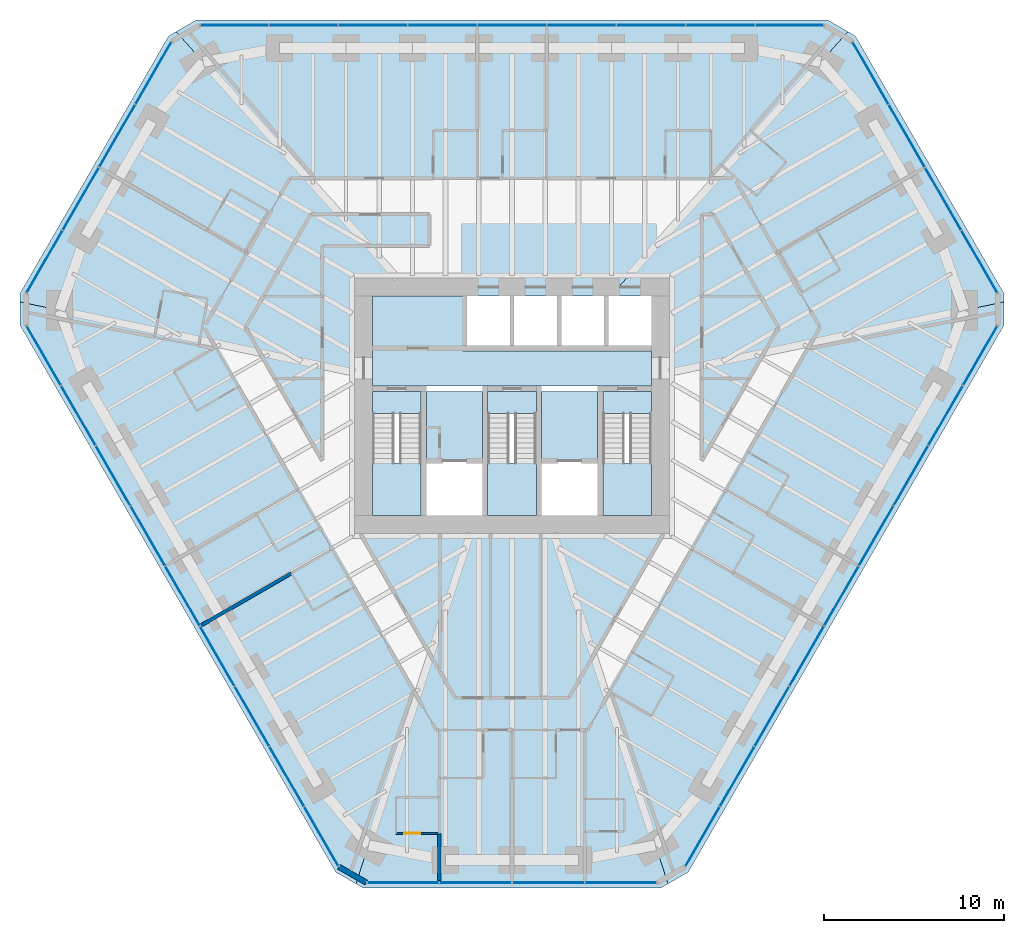
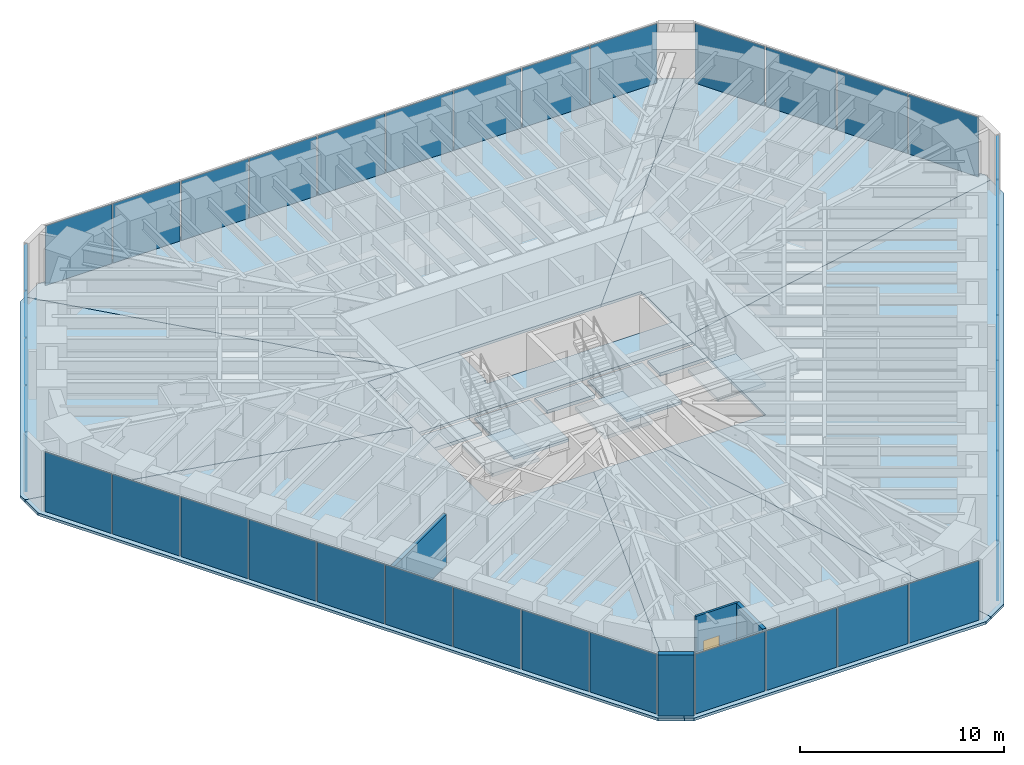
# One storey, part 10 of 16: 39 plates, 15 slabs, 4 walls, 1 door, 1 opening, 9 elements without a shape of their own.
"""IFC4 building model written with IfcOpenShell, lengths in metres."""

from ifc_helpers import new_model, si_unit, direction, frame, frame_2d, origin, origin_2d, place, context, subcontext, project, spatial, polyline, rectangle, outline, extrude, material, layer, layer_set, type_object, element, fill, aggregate, save


model = new_model("IFC4")

# Units and contexts
model_context = context("Model", 3, precision=1e-05, world=origin(), true_north=direction((0.0, 1.0)))
body_context = subcontext(model_context, "Body", "Model", "MODEL_VIEW")
ifc_project = project(units=[si_unit("LENGTHUNIT", "METRE"), si_unit("AREAUNIT", "SQUARE_METRE"), si_unit("VOLUMEUNIT", "CUBIC_METRE"), si_unit("PLANEANGLEUNIT", "RADIAN"), si_unit("MASSUNIT", "GRAM", prefix="KILO")], contexts=[model_context])

# Site, building, storey
site_placement = place(None, origin())
site = spatial("IfcSite", under=ifc_project, at=site_placement, CompositionType="ELEMENT")
building_placement = place(site_placement, origin())
building = spatial("IfcBuilding", under=site, at=building_placement, Name="Sandreach Pilgrim Tower", CompositionType="ELEMENT")
storey_placement = place(building_placement, frame((0.0, 0.0, 187.0)))
storey = spatial("IfcBuildingStorey", under=building, at=storey_placement, Name="L46", CompositionType="ELEMENT", Elevation=187.0)

# Curtain wall, plates
ifc_material_1 = material(Name="Aluminium framed curtain wall", Category="aluminium")
curtain_wall_type = type_object("IfcCurtainWallType", Name="Upper hotel tower curtain wall", PredefinedType="NOTDEFINED", material=ifc_material_1)
curtain_wall_1_placement = place(storey_placement, origin())
curtain_wall_1 = element("IfcCurtainWall", 1, at=curtain_wall_1_placement, inside=storey, type_object=curtain_wall_type, Name="CW-3 L46 N", PredefinedType="NOTDEFINED")
ifc_material_2 = material(Name="Insulating glass unit 12.76 laminated + 20 argon + 12.76 laminated", Category="glass")
ifc_layer_1 = layer(ifc_material_2, 0.0458984375)
ifc_layer_set_1 = layer_set([ifc_layer_1], Name="CW-3 panel")
plate_type = type_object("IfcPlateType", Name="CW-3 panel", PredefinedType="CURTAIN_PANEL", material=ifc_layer_set_1)
plate_1_placement = place(storey_placement, frame((-15.44140625, 21.16015625, 0.0), z_axis=(0.0, 0.0, 1.0), x_axis=(1.0, 0.0, 0.0)))
plate_1 = element("IfcPlate", 2, at=plate_1_placement, type_object=plate_type, Name="CW-3 panel 1", PredefinedType="CURTAIN_PANEL", context=body_context, shape_type="SweptSolid", body=[
    extrude(rectangle(XDim=3.766845703125, YDim=0.0458984375, at=origin_2d()), origin(), (0.0, 0.0, 1.0), 3.570068359375),
])
plate_2_placement = place(storey_placement, frame((-11.59326171875, 21.16015625, 0.0), z_axis=(0.0, 0.0, 1.0), x_axis=(1.0, 0.0, 0.0)))
plate_2 = element("IfcPlate", 3, at=plate_2_placement, type_object=plate_type, Name="CW-3 panel 2", PredefinedType="CURTAIN_PANEL", context=body_context, shape_type="SweptSolid", body=[
    extrude(rectangle(XDim=3.79931640625, YDim=0.0458984375, at=origin_2d()), origin(), (0.0, 0.0, 1.0), 3.570068359375),
])
plate_3_placement = place(storey_placement, frame((-7.728759765625, 21.16015625, 0.0), z_axis=(0.0, 0.0, 1.0), x_axis=(1.0, 0.0, 0.0)))
plate_3 = element("IfcPlate", 4, at=plate_3_placement, type_object=plate_type, Name="CW-3 panel 3", PredefinedType="CURTAIN_PANEL", context=body_context, shape_type="SweptSolid", body=[
    extrude(rectangle(XDim=3.79931640625, YDim=0.0458984375, at=origin_2d()), origin(), (0.0, 0.0, 1.0), 3.570068359375),
])
plate_4_placement = place(storey_placement, frame((-3.864501953125, 21.16015625, 0.0), z_axis=(0.0, 0.0, 1.0), x_axis=(1.0, 0.0, 0.0)))
plate_4 = element("IfcPlate", 5, at=plate_4_placement, type_object=plate_type, Name="CW-3 panel 4", PredefinedType="CURTAIN_PANEL", context=body_context, shape_type="SweptSolid", body=[
    extrude(rectangle(XDim=3.79931640625, YDim=0.0458984375, at=origin_2d()), origin(), (0.0, 0.0, 1.0), 3.570068359375),
])
plate_5_placement = place(storey_placement, frame((0.0, 21.16015625, 0.0), z_axis=(0.0, 0.0, 1.0), x_axis=(1.0, 0.0, 0.0)))
plate_5 = element("IfcPlate", 6, at=plate_5_placement, type_object=plate_type, Name="CW-3 panel 5", PredefinedType="CURTAIN_PANEL", context=body_context, shape_type="SweptSolid", body=[
    extrude(rectangle(XDim=3.79931640625, YDim=0.0458984375, at=origin_2d()), origin(), (0.0, 0.0, 1.0), 3.570068359375),
])
plate_6_placement = place(storey_placement, frame((3.864501953125, 21.16015625, 0.0), z_axis=(0.0, 0.0, 1.0), x_axis=(1.0, 0.0, 0.0)))
plate_6 = element("IfcPlate", 7, at=plate_6_placement, type_object=plate_type, Name="CW-3 panel 6", PredefinedType="CURTAIN_PANEL", context=body_context, shape_type="SweptSolid", body=[
    extrude(rectangle(XDim=3.79931640625, YDim=0.0458984375, at=origin_2d()), origin(), (0.0, 0.0, 1.0), 3.570068359375),
])
plate_7_placement = place(storey_placement, frame((7.728759765625, 21.16015625, 0.0), z_axis=(0.0, 0.0, 1.0), x_axis=(1.0, 0.0, 0.0)))
plate_7 = element("IfcPlate", 8, at=plate_7_placement, type_object=plate_type, Name="CW-3 panel 7", PredefinedType="CURTAIN_PANEL", context=body_context, shape_type="SweptSolid", body=[
    extrude(rectangle(XDim=3.79931640625, YDim=0.0458984375, at=origin_2d()), origin(), (0.0, 0.0, 1.0), 3.570068359375),
])
plate_8_placement = place(storey_placement, frame((11.59326171875, 21.16015625, 0.0), z_axis=(0.0, 0.0, 1.0), x_axis=(1.0, 0.0, 0.0)))
plate_8 = element("IfcPlate", 9, at=plate_8_placement, type_object=plate_type, Name="CW-3 panel 8", PredefinedType="CURTAIN_PANEL", context=body_context, shape_type="SweptSolid", body=[
    extrude(rectangle(XDim=3.79931640625, YDim=0.0458984375, at=origin_2d()), origin(), (0.0, 0.0, 1.0), 3.570068359375),
])
plate_9_placement = place(storey_placement, frame((15.44140625, 21.16015625, 0.0), z_axis=(0.0, 0.0, 1.0), x_axis=(1.0, 0.0, 0.0)))
plate_9 = element("IfcPlate", 10, at=plate_9_placement, type_object=plate_type, Name="CW-3 panel 9", PredefinedType="CURTAIN_PANEL", context=body_context, shape_type="SweptSolid", body=[
    extrude(rectangle(XDim=3.766845703125, YDim=0.0458984375, at=origin_2d()), origin(), (0.0, 0.0, 1.0), 3.570068359375),
])
aggregate(curtain_wall_1, [plate_1, plate_2, plate_3, plate_4, plate_5, plate_6, plate_7, plate_8, plate_9])

curtain_wall_2_placement = place(storey_placement, origin())
curtain_wall_2 = element("IfcCurtainWall", 11, at=curtain_wall_2_placement, inside=storey, type_object=curtain_wall_type, Name="CW-3 L46 NE", PredefinedType="NOTDEFINED")
plate_10_placement = place(storey_placement, frame((19.943115234375, 18.5078125, 0.0), z_axis=(0.0, 0.0, 1.0), x_axis=(0.5, -0.866025403784, 0.0)))
plate_10 = element("IfcPlate", 12, at=plate_10_placement, type_object=plate_type, Name="CW-3 panel 1", PredefinedType="CURTAIN_PANEL", context=body_context, shape_type="SweptSolid", body=[
    extrude(rectangle(XDim=3.951171875, YDim=0.0458984375, at=origin_2d()), origin(), (0.0, 0.0, 1.0), 3.570068359375),
])
plate_11_placement = place(storey_placement, frame((21.959228515625, 15.015625, 0.0), z_axis=(0.0, 0.0, 1.0), x_axis=(0.5, -0.866025403784, 0.0)))
plate_11 = element("IfcPlate", 13, at=plate_11_placement, type_object=plate_type, Name="CW-3 panel 2", PredefinedType="CURTAIN_PANEL", context=body_context, shape_type="SweptSolid", body=[
    extrude(rectangle(XDim=3.983642578125, YDim=0.0458984375, at=origin_2d()), origin(), (0.0, 0.0, 1.0), 3.570068359375),
])
plate_12_placement = place(storey_placement, frame((23.983642578125, 11.509521484375, 0.0), z_axis=(0.0, 0.0, 1.0), x_axis=(0.5, -0.866025403784, 0.0)))
plate_12 = element("IfcPlate", 14, at=plate_12_placement, type_object=plate_type, Name="CW-3 panel 3", PredefinedType="CURTAIN_PANEL", context=body_context, shape_type="SweptSolid", body=[
    extrude(rectangle(XDim=3.983642578125, YDim=0.0458984375, at=origin_2d()), origin(), (0.0, 0.0, 1.0), 3.570068359375),
])
plate_13_placement = place(storey_placement, frame((25.999755859375, 8.017333984375, 0.0), z_axis=(0.0, 0.0, 1.0), x_axis=(0.5, -0.866025403784, 0.0)))
plate_13 = element("IfcPlate", 15, at=plate_13_placement, type_object=plate_type, Name="CW-3 panel 4", PredefinedType="CURTAIN_PANEL", context=body_context, shape_type="SweptSolid", body=[
    extrude(rectangle(XDim=3.951171875, YDim=0.0458984375, at=origin_2d()), origin(), (0.0, 0.0, 1.0), 3.570068359375),
])
aggregate(curtain_wall_2, [plate_10, plate_11, plate_12, plate_13])

curtain_wall_3_placement = place(storey_placement, origin())
curtain_wall_3 = element("IfcCurtainWall", 16, at=curtain_wall_3_placement, inside=storey, type_object=curtain_wall_type, Name="CW-3 L46 SE", PredefinedType="NOTDEFINED")
plate_14_placement = place(storey_placement, frame((26.0458984375, 2.792724609375, 0.0), z_axis=(0.0, 0.0, 1.0), x_axis=(-0.5, -0.866025403784, 0.0)))
plate_14 = element("IfcPlate", 17, at=plate_14_placement, type_object=plate_type, Name="CW-3 panel 1", PredefinedType="CURTAIN_PANEL", context=body_context, shape_type="SweptSolid", body=[
    extrude(rectangle(XDim=3.766845703125, YDim=0.0458984375, at=origin_2d()), origin(), (0.0, 0.0, 1.0), 3.570068359375),
])
plate_15_placement = place(storey_placement, frame((24.121826171875, -0.5400390625, 0.0), z_axis=(0.0, 0.0, 1.0), x_axis=(-0.5, -0.866025403784, 0.0)))
plate_15 = element("IfcPlate", 18, at=plate_15_placement, type_object=plate_type, Name="CW-3 panel 2", PredefinedType="CURTAIN_PANEL", context=body_context, shape_type="SweptSolid", body=[
    extrude(rectangle(XDim=3.79931640625, YDim=0.0458984375, at=origin_2d()), origin(), (0.0, 0.0, 1.0), 3.570068359375),
])
plate_16_placement = place(storey_placement, frame((22.189697265625, -3.88671875, 0.0), z_axis=(0.0, 0.0, 1.0), x_axis=(-0.5, -0.866025403784, 0.0)))
plate_16 = element("IfcPlate", 19, at=plate_16_placement, type_object=plate_type, Name="CW-3 panel 3", PredefinedType="CURTAIN_PANEL", context=body_context, shape_type="SweptSolid", body=[
    extrude(rectangle(XDim=3.79931640625, YDim=0.0458984375, at=origin_2d()), origin(), (0.0, 0.0, 1.0), 3.570068359375),
])
plate_17_placement = place(storey_placement, frame((20.25732421875, -7.2333984375, 0.0), z_axis=(0.0, 0.0, 1.0), x_axis=(-0.5, -0.866025403784, 0.0)))
plate_17 = element("IfcPlate", 20, at=plate_17_placement, type_object=plate_type, Name="CW-3 panel 4", PredefinedType="CURTAIN_PANEL", context=body_context, shape_type="SweptSolid", body=[
    extrude(rectangle(XDim=3.79931640625, YDim=0.0458984375, at=origin_2d()), origin(), (0.0, 0.0, 1.0), 3.570068359375),
])
plate_18_placement = place(storey_placement, frame((18.3251953125, -10.580078125, 0.0), z_axis=(0.0, 0.0, 1.0), x_axis=(-0.5, -0.866025403784, 0.0)))
plate_18 = element("IfcPlate", 21, at=plate_18_placement, type_object=plate_type, Name="CW-3 panel 5", PredefinedType="CURTAIN_PANEL", context=body_context, shape_type="SweptSolid", body=[
    extrude(rectangle(XDim=3.79931640625, YDim=0.0458984375, at=origin_2d()), origin(), (0.0, 0.0, 1.0), 3.570068359375),
])
plate_19_placement = place(storey_placement, frame((16.39306640625, -13.9267578125, 0.0), z_axis=(0.0, 0.0, 1.0), x_axis=(-0.5, -0.866025403784, 0.0)))
plate_19 = element("IfcPlate", 22, at=plate_19_placement, type_object=plate_type, Name="CW-3 panel 6", PredefinedType="CURTAIN_PANEL", context=body_context, shape_type="SweptSolid", body=[
    extrude(rectangle(XDim=3.79931640625, YDim=0.0458984375, at=origin_2d()), origin(), (0.0, 0.0, 1.0), 3.570068359375),
])
plate_20_placement = place(storey_placement, frame((14.460693359375, -17.2734375, 0.0), z_axis=(0.0, 0.0, 1.0), x_axis=(-0.5, -0.866025403784, 0.0)))
plate_20 = element("IfcPlate", 23, at=plate_20_placement, type_object=plate_type, Name="CW-3 panel 7", PredefinedType="CURTAIN_PANEL", context=body_context, shape_type="SweptSolid", body=[
    extrude(rectangle(XDim=3.79931640625, YDim=0.0458984375, at=origin_2d()), origin(), (0.0, 0.0, 1.0), 3.570068359375),
])
plate_21_placement = place(storey_placement, frame((12.528564453125, -20.6201171875, 0.0), z_axis=(0.0, 0.0, 1.0), x_axis=(-0.5, -0.866025403784, 0.0)))
plate_21 = element("IfcPlate", 24, at=plate_21_placement, type_object=plate_type, Name="CW-3 panel 8", PredefinedType="CURTAIN_PANEL", context=body_context, shape_type="SweptSolid", body=[
    extrude(rectangle(XDim=3.79931640625, YDim=0.0458984375, at=origin_2d()), origin(), (0.0, 0.0, 1.0), 3.570068359375),
])
plate_22_placement = place(storey_placement, frame((10.6044921875, -23.95263671875, 0.0), z_axis=(0.0, 0.0, 1.0), x_axis=(-0.5, -0.866025403784, 0.0)))
plate_22 = element("IfcPlate", 25, at=plate_22_placement, type_object=plate_type, Name="CW-3 panel 9", PredefinedType="CURTAIN_PANEL", context=body_context, shape_type="SweptSolid", body=[
    extrude(rectangle(XDim=3.766845703125, YDim=0.0458984375, at=origin_2d()), origin(), (0.0, 0.0, 1.0), 3.570068359375),
])
aggregate(curtain_wall_3, [plate_14, plate_15, plate_16, plate_17, plate_18, plate_19, plate_20, plate_21, plate_22])

curtain_wall_4_placement = place(storey_placement, origin())
curtain_wall_4 = element("IfcCurtainWall", 26, at=curtain_wall_4_placement, inside=storey, type_object=curtain_wall_type, Name="CW-3 L46 S", PredefinedType="NOTDEFINED")
plate_23_placement = place(storey_placement, frame((6.056884765625, -26.525146484375, 0.0), z_axis=(0.0, 0.0, 1.0), x_axis=(-1.0, 0.0, 0.0)))
plate_23 = element("IfcPlate", 27, at=plate_23_placement, type_object=plate_type, Name="CW-3 panel 1", PredefinedType="CURTAIN_PANEL", context=body_context, shape_type="SweptSolid", body=[
    extrude(rectangle(XDim=3.951171875, YDim=0.0458984375, at=origin_2d()), origin(), (0.0, 0.0, 1.0), 3.570068359375),
])
plate_24_placement = place(storey_placement, frame((2.0244140625, -26.525146484375, 0.0), z_axis=(0.0, 0.0, 1.0), x_axis=(-1.0, 0.0, 0.0)))
plate_24 = element("IfcPlate", 28, at=plate_24_placement, type_object=plate_type, Name="CW-3 panel 2", PredefinedType="CURTAIN_PANEL", context=body_context, shape_type="SweptSolid", body=[
    extrude(rectangle(XDim=3.983642578125, YDim=0.0458984375, at=origin_2d()), origin(), (0.0, 0.0, 1.0), 3.570068359375),
])
plate_25_placement = place(storey_placement, frame((-2.0244140625, -26.525146484375, 0.0), z_axis=(0.0, 0.0, 1.0), x_axis=(-1.0, 0.0, 0.0)))
plate_25 = element("IfcPlate", 29, at=plate_25_placement, type_object=plate_type, Name="CW-3 panel 3", PredefinedType="CURTAIN_PANEL", context=body_context, shape_type="SweptSolid", body=[
    extrude(rectangle(XDim=3.983642578125, YDim=0.0458984375, at=origin_2d()), origin(), (0.0, 0.0, 1.0), 3.570068359375),
])
plate_26_placement = place(storey_placement, frame((-6.056884765625, -26.525146484375, 0.0), z_axis=(0.0, 0.0, 1.0), x_axis=(-1.0, 0.0, 0.0)))
plate_26 = element("IfcPlate", 30, at=plate_26_placement, type_object=plate_type, Name="CW-3 panel 4", PredefinedType="CURTAIN_PANEL", context=body_context, shape_type="SweptSolid", body=[
    extrude(rectangle(XDim=3.951171875, YDim=0.0458984375, at=origin_2d()), origin(), (0.0, 0.0, 1.0), 3.570068359375),
])
aggregate(curtain_wall_4, [plate_23, plate_24, plate_25, plate_26])

curtain_wall_5_placement = place(storey_placement, origin())
curtain_wall_5 = element("IfcCurtainWall", 31, at=curtain_wall_5_placement, inside=storey, type_object=curtain_wall_type, Name="CW-3 L46 SW", PredefinedType="NOTDEFINED")
plate_27_placement = place(storey_placement, frame((-10.6044921875, -23.95263671875, 0.0), z_axis=(0.0, 0.0, 1.0), x_axis=(-0.5, 0.866025403784, 0.0)))
plate_27 = element("IfcPlate", 32, at=plate_27_placement, type_object=plate_type, Name="CW-3 panel 1", PredefinedType="CURTAIN_PANEL", context=body_context, shape_type="SweptSolid", body=[
    extrude(rectangle(XDim=3.766845703125, YDim=0.0458984375, at=origin_2d()), origin(), (0.0, 0.0, 1.0), 3.570068359375),
])
plate_28_placement = place(storey_placement, frame((-12.528564453125, -20.6201171875, 0.0), z_axis=(0.0, 0.0, 1.0), x_axis=(-0.5, 0.866025403784, 0.0)))
plate_28 = element("IfcPlate", 33, at=plate_28_placement, type_object=plate_type, Name="CW-3 panel 2", PredefinedType="CURTAIN_PANEL", context=body_context, shape_type="SweptSolid", body=[
    extrude(rectangle(XDim=3.79931640625, YDim=0.0458984375, at=origin_2d()), origin(), (0.0, 0.0, 1.0), 3.570068359375),
])
plate_29_placement = place(storey_placement, frame((-14.460693359375, -17.2734375, 0.0), z_axis=(0.0, 0.0, 1.0), x_axis=(-0.5, 0.866025403784, 0.0)))
plate_29 = element("IfcPlate", 34, at=plate_29_placement, type_object=plate_type, Name="CW-3 panel 3", PredefinedType="CURTAIN_PANEL", context=body_context, shape_type="SweptSolid", body=[
    extrude(rectangle(XDim=3.79931640625, YDim=0.0458984375, at=origin_2d()), origin(), (0.0, 0.0, 1.0), 3.570068359375),
])
plate_30_placement = place(storey_placement, frame((-16.39306640625, -13.9267578125, 0.0), z_axis=(0.0, 0.0, 1.0), x_axis=(-0.5, 0.866025403784, 0.0)))
plate_30 = element("IfcPlate", 35, at=plate_30_placement, type_object=plate_type, Name="CW-3 panel 4", PredefinedType="CURTAIN_PANEL", context=body_context, shape_type="SweptSolid", body=[
    extrude(rectangle(XDim=3.79931640625, YDim=0.0458984375, at=origin_2d()), origin(), (0.0, 0.0, 1.0), 3.570068359375),
])
plate_31_placement = place(storey_placement, frame((-18.3251953125, -10.580078125, 0.0), z_axis=(0.0, 0.0, 1.0), x_axis=(-0.5, 0.866025403784, 0.0)))
plate_31 = element("IfcPlate", 36, at=plate_31_placement, type_object=plate_type, Name="CW-3 panel 5", PredefinedType="CURTAIN_PANEL", context=body_context, shape_type="SweptSolid", body=[
    extrude(rectangle(XDim=3.79931640625, YDim=0.0458984375, at=origin_2d()), origin(), (0.0, 0.0, 1.0), 3.570068359375),
])
plate_32_placement = place(storey_placement, frame((-20.25732421875, -7.2333984375, 0.0), z_axis=(0.0, 0.0, 1.0), x_axis=(-0.5, 0.866025403784, 0.0)))
plate_32 = element("IfcPlate", 37, at=plate_32_placement, type_object=plate_type, Name="CW-3 panel 6", PredefinedType="CURTAIN_PANEL", context=body_context, shape_type="SweptSolid", body=[
    extrude(rectangle(XDim=3.79931640625, YDim=0.0458984375, at=origin_2d()), origin(), (0.0, 0.0, 1.0), 3.570068359375),
])
plate_33_placement = place(storey_placement, frame((-22.189697265625, -3.88671875, 0.0), z_axis=(0.0, 0.0, 1.0), x_axis=(-0.5, 0.866025403784, 0.0)))
plate_33 = element("IfcPlate", 38, at=plate_33_placement, type_object=plate_type, Name="CW-3 panel 7", PredefinedType="CURTAIN_PANEL", context=body_context, shape_type="SweptSolid", body=[
    extrude(rectangle(XDim=3.79931640625, YDim=0.0458984375, at=origin_2d()), origin(), (0.0, 0.0, 1.0), 3.570068359375),
])
plate_34_placement = place(storey_placement, frame((-24.121826171875, -0.5400390625, 0.0), z_axis=(0.0, 0.0, 1.0), x_axis=(-0.5, 0.866025403784, 0.0)))
plate_34 = element("IfcPlate", 39, at=plate_34_placement, type_object=plate_type, Name="CW-3 panel 8", PredefinedType="CURTAIN_PANEL", context=body_context, shape_type="SweptSolid", body=[
    extrude(rectangle(XDim=3.79931640625, YDim=0.0458984375, at=origin_2d()), origin(), (0.0, 0.0, 1.0), 3.570068359375),
])
plate_35_placement = place(storey_placement, frame((-26.0458984375, 2.792724609375, 0.0), z_axis=(0.0, 0.0, 1.0), x_axis=(-0.5, 0.866025403784, 0.0)))
plate_35 = element("IfcPlate", 40, at=plate_35_placement, type_object=plate_type, Name="CW-3 panel 9", PredefinedType="CURTAIN_PANEL", context=body_context, shape_type="SweptSolid", body=[
    extrude(rectangle(XDim=3.766845703125, YDim=0.0458984375, at=origin_2d()), origin(), (0.0, 0.0, 1.0), 3.570068359375),
])
aggregate(curtain_wall_5, [plate_27, plate_28, plate_29, plate_30, plate_31, plate_32, plate_33, plate_34, plate_35])

curtain_wall_6_placement = place(storey_placement, origin())
curtain_wall_6 = element("IfcCurtainWall", 41, at=curtain_wall_6_placement, inside=storey, type_object=curtain_wall_type, Name="CW-3 L46 NW", PredefinedType="NOTDEFINED")
plate_36_placement = place(storey_placement, frame((-25.999755859375, 8.017333984375, 0.0), z_axis=(0.0, 0.0, 1.0), x_axis=(0.5, 0.866025403784, 0.0)))
plate_36 = element("IfcPlate", 42, at=plate_36_placement, type_object=plate_type, Name="CW-3 panel 1", PredefinedType="CURTAIN_PANEL", context=body_context, shape_type="SweptSolid", body=[
    extrude(rectangle(XDim=3.951171875, YDim=0.0458984375, at=origin_2d()), origin(), (0.0, 0.0, 1.0), 3.570068359375),
])
plate_37_placement = place(storey_placement, frame((-23.983642578125, 11.509521484375, 0.0), z_axis=(0.0, 0.0, 1.0), x_axis=(0.5, 0.866025403784, 0.0)))
plate_37 = element("IfcPlate", 43, at=plate_37_placement, type_object=plate_type, Name="CW-3 panel 2", PredefinedType="CURTAIN_PANEL", context=body_context, shape_type="SweptSolid", body=[
    extrude(rectangle(XDim=3.983642578125, YDim=0.0458984375, at=origin_2d()), origin(), (0.0, 0.0, 1.0), 3.570068359375),
])
plate_38_placement = place(storey_placement, frame((-21.959228515625, 15.015625, 0.0), z_axis=(0.0, 0.0, 1.0), x_axis=(0.5, 0.866025403784, 0.0)))
plate_38 = element("IfcPlate", 44, at=plate_38_placement, type_object=plate_type, Name="CW-3 panel 3", PredefinedType="CURTAIN_PANEL", context=body_context, shape_type="SweptSolid", body=[
    extrude(rectangle(XDim=3.983642578125, YDim=0.0458984375, at=origin_2d()), origin(), (0.0, 0.0, 1.0), 3.570068359375),
])
plate_39_placement = place(storey_placement, frame((-19.943115234375, 18.5078125, 0.0), z_axis=(0.0, 0.0, 1.0), x_axis=(0.5, 0.866025403784, 0.0)))
plate_39 = element("IfcPlate", 45, at=plate_39_placement, type_object=plate_type, Name="CW-3 panel 4", PredefinedType="CURTAIN_PANEL", context=body_context, shape_type="SweptSolid", body=[
    extrude(rectangle(XDim=3.951171875, YDim=0.0458984375, at=origin_2d()), origin(), (0.0, 0.0, 1.0), 3.570068359375),
])
aggregate(curtain_wall_6, [plate_36, plate_37, plate_38, plate_39])

# Slabs
ifc_material_3 = material(Name="Concrete 8000 psi", Category="concrete")
ifc_layer_2 = layer(ifc_material_3, 0.159912109375)
ifc_layer_set_2 = layer_set([ifc_layer_2], Name="Composite floor slab 160")
slab_type_1 = type_object("IfcSlabType", Name="Composite floor slab 160", PredefinedType="FLOOR", material=ifc_layer_set_2)
slab_1_placement = place(storey_placement, frame((0.0, 0.0, -0.159912109375)))
element("IfcSlab", 46, at=slab_1_placement, inside=storey, type_object=slab_type_1, Name="Floor slab L46 N sector", PredefinedType="FLOOR", context=body_context, shape_type="SweptSolid", body=[
    extrude(outline(polyline([(-17.56298828125, 21.460205078125), (17.56298828125, 21.460205078125), (18.68701171875, 20.81103515625), (5.477294921875, 6.10009765625), (-5.477294921875, 6.10009765625), (-18.68701171875, 20.81103515625), (-17.56298828125, 21.460205078125)])), origin(), (0.0, 0.0, 1.0), 0.159912109375),
])
slab_2_placement = place(storey_placement, frame((0.0, 0.0, -0.159912109375)))
element("IfcSlab", 47, at=slab_2_placement, inside=storey, type_object=slab_type_1, Name="Floor slab L46 NE sector", PredefinedType="FLOOR", context=body_context, shape_type="SweptSolid", body=[
    extrude(outline(polyline([(19.095947265625, 20.5751953125), (27.366455078125, 6.25), (27.366455078125, 5.778076171875), (7.75, 1.63623046875), (7.75, 6.10009765625), (5.477294921875, 6.10009765625), (18.68701171875, 20.81103515625), (19.095947265625, 20.5751953125)])), origin(), (0.0, 0.0, 1.0), 0.159912109375),
])
slab_3_placement = place(storey_placement, frame((0.0, 0.0, -0.159912109375)))
element("IfcSlab", 48, at=slab_3_placement, inside=storey, type_object=slab_type_1, Name="Floor slab L46 SE sector", PredefinedType="FLOOR", context=body_context, shape_type="SweptSolid", body=[
    extrude(outline(polyline([(27.366455078125, 4.47998046875), (9.803466796875, -25.940185546875), (8.679443359375, -26.589111328125), (1.9912109375, -6.10009765625), (7.75, -6.10009765625), (7.75, 1.63623046875), (27.366455078125, 5.778076171875), (27.366455078125, 4.47998046875)])), origin(), (0.0, 0.0, 1.0), 0.159912109375),
])
slab_4_placement = place(storey_placement, frame((0.0, 0.0, -0.159912109375)))
element("IfcSlab", 49, at=slab_4_placement, inside=storey, type_object=slab_type_1, Name="Floor slab L46 S sector", PredefinedType="FLOOR", context=body_context, shape_type="SweptSolid", body=[
    extrude(outline(polyline([(8.2705078125, -26.8251953125), (-8.2705078125, -26.8251953125), (-8.679443359375, -26.589111328125), (-1.9912109375, -6.10009765625), (1.9912109375, -6.10009765625), (8.679443359375, -26.589111328125), (8.2705078125, -26.8251953125)])), origin(), (0.0, 0.0, 1.0), 0.159912109375),
])
slab_5_placement = place(storey_placement, frame((0.0, 0.0, -0.159912109375)))
element("IfcSlab", 50, at=slab_5_placement, inside=storey, type_object=slab_type_1, Name="Floor slab L46 SW sector", PredefinedType="FLOOR", context=body_context, shape_type="SweptSolid", body=[
    extrude(outline(polyline([(-9.803466796875, -25.940185546875), (-27.366455078125, 4.47998046875), (-27.366455078125, 5.778076171875), (-7.75, 1.63623046875), (-7.75, -6.10009765625), (-1.9912109375, -6.10009765625), (-8.679443359375, -26.589111328125), (-9.803466796875, -25.940185546875)])), origin(), (0.0, 0.0, 1.0), 0.159912109375),
])
slab_6_placement = place(storey_placement, frame((0.0, 0.0, -0.159912109375)))
element("IfcSlab", 51, at=slab_6_placement, inside=storey, type_object=slab_type_1, Name="Floor slab L46 NW sector", PredefinedType="FLOOR", context=body_context, shape_type="SweptSolid", body=[
    extrude(outline(polyline([(-27.366455078125, 6.25), (-19.095947265625, 20.5751953125), (-18.68701171875, 20.81103515625), (-5.477294921875, 6.10009765625), (-7.75, 6.10009765625), (-7.75, 1.63623046875), (-27.366455078125, 5.778076171875), (-27.366455078125, 6.25)])), origin(), (0.0, 0.0, 1.0), 0.159912109375),
])
slab_7_placement = place(storey_placement, frame((0.0, 0.0, -0.159912109375)))
element("IfcSlab", 52, at=slab_7_placement, inside=storey, type_object=slab_type_1, Name="Core floor slab and stores L46", PredefinedType="FLOOR", context=body_context, shape_type="SweptSolid", body=[
    extrude(outline(polyline([(-2.75, 3.35009765625), (-2.75, 3.050048828125), (-0.125, 3.050048828125), (0.125, 3.050048828125), (2.5, 3.050048828125), (2.75, 3.050048828125), (5.125, 3.050048828125), (5.375, 3.050048828125), (7.75, 3.050048828125), (7.75, 1.10009765625), (5.050048828125, 1.10009765625), (4.75, 1.10009765625), (1.64990234375, 1.10009765625), (1.35009765625, 1.10009765625), (-1.35009765625, 1.10009765625), (-1.64990234375, 1.10009765625), (-4.75, 1.10009765625), (-5.050048828125, 1.10009765625), (-7.75, 1.10009765625), (-7.75, 6.10009765625), (-2.64990234375, 6.10009765625), (-2.64990234375, 3.35009765625), (-2.75, 3.35009765625)])), origin(), (0.0, 0.0, 1.0), 0.159912109375),
])
slab_8_placement = place(storey_placement, frame((0.0, 0.0, -0.159912109375)))
element("IfcSlab", 53, at=slab_8_placement, inside=storey, type_object=slab_type_1, Name="Core floor slab and stores L46 2", PredefinedType="FLOOR", context=body_context, shape_type="SweptSolid", body=[
    extrude(outline(polyline([(-1.64990234375, -3.050048828125), (-4.75, -3.050048828125), (-4.75, 0.800048828125), (-1.64990234375, 0.800048828125), (-1.64990234375, -3.050048828125)])), origin(), (0.0, 0.0, 1.0), 0.159912109375),
])
slab_9_placement = place(storey_placement, frame((0.0, 0.0, -0.159912109375)))
element("IfcSlab", 54, at=slab_9_placement, inside=storey, type_object=slab_type_1, Name="Core floor slab and stores L46 3", PredefinedType="FLOOR", context=body_context, shape_type="SweptSolid", body=[
    extrude(outline(polyline([(4.75, -3.050048828125), (1.64990234375, -3.050048828125), (1.64990234375, 0.800048828125), (4.75, 0.800048828125), (4.75, -3.050048828125)])), origin(), (0.0, 0.0, 1.0), 0.159912109375),
])

# Stair, slabs
ifc_material_4 = material(Name="Concrete 8000 psi", Category="concrete")
stair_type = type_object("IfcStairType", Name="Core exit stair", PredefinedType="HALF_TURN_STAIR", material=ifc_material_4)
stair_1_placement = place(storey_placement, origin())
stair_1 = element("IfcStair", 55, at=stair_1_placement, inside=storey, type_object=stair_type, Name="Exit stair ST1 L46", PredefinedType="HALF_TURN_STAIR")
ifc_material_5 = material(Name="Concrete 8000 psi", Category="concrete")
ifc_layer_3 = layer(ifc_material_5, 0.199951171875)
ifc_layer_set_3 = layer_set([ifc_layer_3], Name="Core stair landing 200")
slab_type_2 = type_object("IfcSlabType", Name="Core stair landing 200", PredefinedType="LANDING", material=ifc_layer_set_3)
slab_10_placement = place(storey_placement, frame((0.0, 0.0, -0.199951171875)))
slab_10 = element("IfcSlab", 56, at=slab_10_placement, type_object=slab_type_2, Name="ST1 landing 1", PredefinedType="LANDING", context=body_context, shape_type="SweptSolid", body=[
    extrude(outline(polyline([(-7.75, -0.425048828125), (-5.050048828125, -0.425048828125), (-5.050048828125, 0.800048828125), (-7.75, 0.800048828125), (-7.75, -0.425048828125)])), origin(), (0.0, 0.0, 1.0), 0.199951171875),
])
slab_11_placement = place(storey_placement, frame((0.0, 0.0, 1.699951171875)))
slab_11 = element("IfcSlab", 57, at=slab_11_placement, type_object=slab_type_2, Name="ST1 landing 2", PredefinedType="LANDING", context=body_context, shape_type="SweptSolid", body=[
    extrude(outline(polyline([(-7.75, -6.10009765625), (-5.050048828125, -6.10009765625), (-5.050048828125, -3.175048828125), (-7.75, -3.175048828125), (-7.75, -6.10009765625)])), origin(), (0.0, 0.0, 1.0), 0.199951171875),
])
aggregate(stair_1, [slab_10, slab_11])

stair_2_placement = place(storey_placement, origin())
stair_2 = element("IfcStair", 58, at=stair_2_placement, inside=storey, type_object=stair_type, Name="Exit stair ST3 L46", PredefinedType="HALF_TURN_STAIR")
slab_12_placement = place(storey_placement, frame((0.0, 0.0, -0.199951171875)))
slab_12 = element("IfcSlab", 59, at=slab_12_placement, type_object=slab_type_2, Name="ST3 landing 1", PredefinedType="LANDING", context=body_context, shape_type="SweptSolid", body=[
    extrude(outline(polyline([(-1.35009765625, -0.425048828125), (1.35009765625, -0.425048828125), (1.35009765625, 0.800048828125), (-1.35009765625, 0.800048828125), (-1.35009765625, -0.425048828125)])), origin(), (0.0, 0.0, 1.0), 0.199951171875),
])
slab_13_placement = place(storey_placement, frame((0.0, 0.0, 1.699951171875)))
slab_13 = element("IfcSlab", 60, at=slab_13_placement, type_object=slab_type_2, Name="ST3 landing 2", PredefinedType="LANDING", context=body_context, shape_type="SweptSolid", body=[
    extrude(outline(polyline([(-1.35009765625, -6.10009765625), (1.35009765625, -6.10009765625), (1.35009765625, -3.175048828125), (-1.35009765625, -3.175048828125), (-1.35009765625, -6.10009765625)])), origin(), (0.0, 0.0, 1.0), 0.199951171875),
])
aggregate(stair_2, [slab_12, slab_13])

stair_3_placement = place(storey_placement, origin())
stair_3 = element("IfcStair", 61, at=stair_3_placement, inside=storey, type_object=stair_type, Name="Exit stair ST2 L46", PredefinedType="HALF_TURN_STAIR")
slab_14_placement = place(storey_placement, frame((0.0, 0.0, -0.199951171875)))
slab_14 = element("IfcSlab", 62, at=slab_14_placement, type_object=slab_type_2, Name="ST2 landing 1", PredefinedType="LANDING", context=body_context, shape_type="SweptSolid", body=[
    extrude(outline(polyline([(5.050048828125, -0.425048828125), (7.75, -0.425048828125), (7.75, 0.800048828125), (5.050048828125, 0.800048828125), (5.050048828125, -0.425048828125)])), origin(), (0.0, 0.0, 1.0), 0.199951171875),
])
slab_15_placement = place(storey_placement, frame((0.0, 0.0, 1.699951171875)))
slab_15 = element("IfcSlab", 63, at=slab_15_placement, type_object=slab_type_2, Name="ST2 landing 2", PredefinedType="LANDING", context=body_context, shape_type="SweptSolid", body=[
    extrude(outline(polyline([(5.050048828125, -6.10009765625), (7.75, -6.10009765625), (7.75, -3.175048828125), (5.050048828125, -3.175048828125), (5.050048828125, -6.10009765625)])), origin(), (0.0, 0.0, 1.0), 0.199951171875),
])
aggregate(stair_3, [slab_14, slab_15])

# Wall, opening, door
ifc_material_6 = material(Name="Moisture-resistant gypsum board on steel studs", Category="steel")
ifc_layer_4 = layer(ifc_material_6, 0.1201171875)
ifc_layer_set_4 = layer_set([ifc_layer_4], Name="Bathroom partition 120")
wall_type_1 = type_object("IfcWallType", Name="Bathroom partition 120", PredefinedType="PARTITIONING", material=ifc_layer_set_4)
wall_1_placement = place(storey_placement, frame((-6.449951171875, -23.780029296875, 0.0), z_axis=(0.0, 0.0, 1.0), x_axis=(1.0, 0.0, 0.0)))
wall_1 = element("IfcWall", 64, at=wall_1_placement, inside=storey, type_object=wall_type_1, Name="Bathroom partition L46-046", PredefinedType="PARTITIONING", context=body_context, shape_type="SweptSolid", body=[
    extrude(rectangle(XDim=2.39990234375, YDim=0.1201171875, at=frame_2d((1.199951171875, 0.0))), origin(), (0.0, 0.0, 1.0), 3.639892578125),
])
opening_placement = place(wall_1_placement, frame((0.449951171875, 0.0, 0.0)))
opening = element("IfcOpeningElement", 65, at=opening_placement, cuts=wall_1, Name="Opening D09-12B", PredefinedType="OPENING", context=body_context, shape_type="SweptSolid", body=[
    extrude(rectangle(XDim=0.89990234375, YDim=2.030029296875, at=frame_2d((0.449951171875, 1.01513671875))), frame((0.0, 0.06005859375, 0.0), z_axis=(0.0, -1.0, 0.0), x_axis=(1.0, 0.0, 0.0)), (0.0, 0.0, 1.0), 0.1201171875),
])
ifc_material_7 = material(Name="Timber door, steel frame", Category="steel")
door_type = type_object("IfcDoorType", Name="Bathroom door", OperationType="SINGLE_SWING_LEFT", PredefinedType="DOOR", material=ifc_material_7)
door_placement = place(opening_placement, origin())
door = element("IfcDoor", 66, at=door_placement, inside=storey, type_object=door_type, Name="Door 4612B", OperationType="SINGLE_SWING_LEFT", OverallHeight=2.030029296875, OverallWidth=0.89990234375, PredefinedType="DOOR", context=body_context, shape_type="SweptSolid", body=[
    extrude(rectangle(XDim=0.89990234375, YDim=2.030029296875, at=frame_2d((0.449951171875, 1.01513671875))), frame((0.0, 0.02490234375, 0.0), z_axis=(0.0, -1.0, 0.0), x_axis=(1.0, 0.0, 0.0)), (0.0, 0.0, 1.0), 0.050048828125),
])
fill(opening, door)

# Walls
ifc_material_8 = material(Name="Double steel stud acoustic wall, gypsum board", Category="steel")
ifc_layer_5 = layer(ifc_material_8, 0.199951171875)
ifc_layer_set_5 = layer_set([ifc_layer_5], Name="Party wall 200")
wall_type_2 = type_object("IfcWallType", Name="Party wall 200", PredefinedType="PARTITIONING", material=ifc_layer_set_5)
wall_2_placement = place(storey_placement, frame((-17.256103515625, -12.18994140625, 0.0), z_axis=(0.0, 0.0, 1.0), x_axis=(0.865937714159, 0.500151852138, 0.0)))
element("IfcWall", 67, at=wall_2_placement, inside=storey, type_object=wall_type_2, Name="Party wall L46-009", PredefinedType="PARTITIONING", context=body_context, shape_type="SweptSolid", body=[
    extrude(rectangle(XDim=5.758056640625, YDim=0.199951171875, at=frame_2d((2.87890625, 0.0))), origin(), (0.0, 0.0, 1.0), 3.0380859375),
])
wall_3_placement = place(storey_placement, frame((-4.050048828125, -26.409912109375, 0.0), z_axis=(0.0, 0.0, 1.0), x_axis=(0.0, 1.0, 0.0)))
element("IfcWall", 68, at=wall_3_placement, inside=storey, type_object=wall_type_2, Name="Party wall L46-054", PredefinedType="PARTITIONING", context=body_context, shape_type="SweptSolid", body=[
    extrude(rectangle(XDim=2.6298828125, YDim=0.199951171875, at=frame_2d((1.31494140625, 0.0))), origin(), (0.0, 0.0, 1.0), 3.639892578125),
])
ifc_material_9 = material(Name="Terracotta rainscreen on concrete", Category="masonry")
ifc_layer_6 = layer(ifc_material_9, 0.300048828125)
ifc_layer_set_6 = layer_set([ifc_layer_6], Name="Terracotta chamfer pier")
wall_type_3 = type_object("IfcWallType", Name="Terracotta chamfer pier", PredefinedType="SOLIDWALL", material=ifc_layer_set_6)
wall_4_placement = place(storey_placement, frame((-8.097412109375, -26.525146484375, 0.0), z_axis=(0.0, 0.0, 1.0), x_axis=(-0.866036293601, 0.499981137809, 0.0)))
element("IfcWall", 69, at=wall_4_placement, inside=storey, type_object=wall_type_3, Name="Chamfer pier L46 S", PredefinedType="SOLIDWALL", context=body_context, shape_type="SweptSolid", body=[
    extrude(rectangle(XDim=1.77001953125, YDim=0.300048828125, at=frame_2d((0.885009765625, 0.0))), origin(), (0.0, 0.0, 1.0), 3.639892578125),
])

save(model, "model.ifc")
